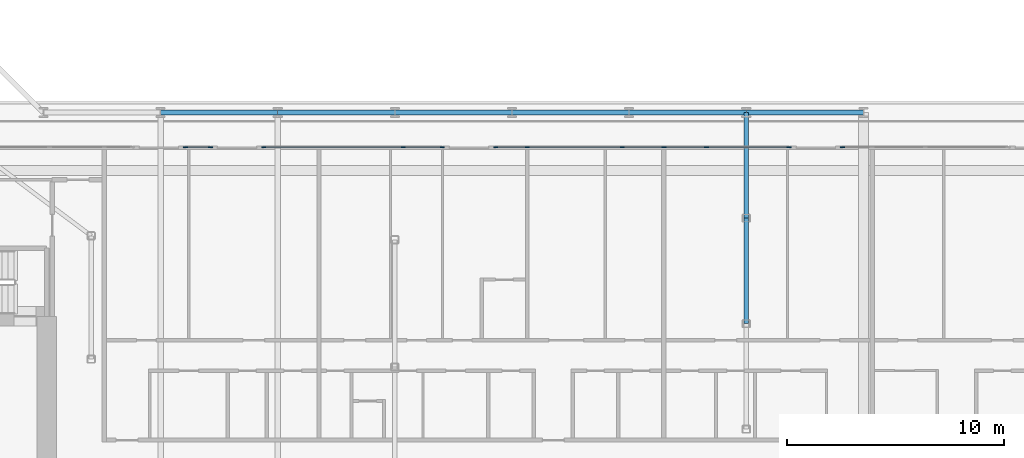
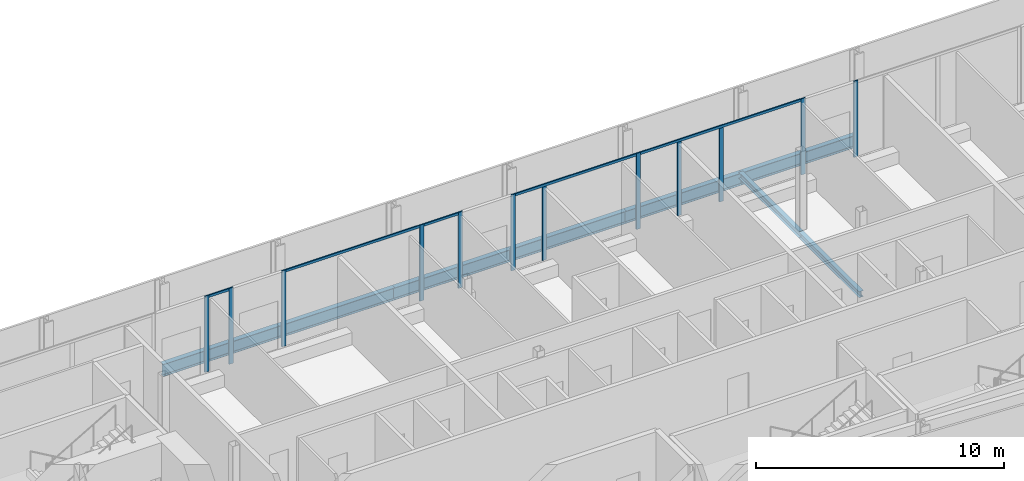
# One storey, part 6 of 28: 17 members, 8 beams, 6 elements without a shape of their own.
"""IFC4 building model written with IfcOpenShell, lengths in metres."""

from ifc_helpers import new_model, si_unit, direction, frame, origin, origin_2d, place, context, subcontext, project, spatial, rectangle, i_section, extrude, material, layer, layer_set, material_profile, profile_set, type_object, element, aggregate, save


model = new_model("IFC4")

# Units and contexts
model_context = context("Model", 3, precision=1e-05, world=origin(), true_north=direction((0.0, 1.0)))
body_context = subcontext(model_context, "Body", "Model", "MODEL_VIEW")
ifc_project = project(units=[si_unit("LENGTHUNIT", "METRE"), si_unit("AREAUNIT", "SQUARE_METRE"), si_unit("VOLUMEUNIT", "CUBIC_METRE"), si_unit("PLANEANGLEUNIT", "RADIAN"), si_unit("MASSUNIT", "GRAM", prefix="KILO")], contexts=[model_context])

# Site, building, storey
site_placement = place(None, origin())
site = spatial("IfcSite", under=ifc_project, at=site_placement, CompositionType="ELEMENT")
building_placement = place(site_placement, origin())
building = spatial("IfcBuilding", under=site, at=building_placement, Name="Kheshtan School and Residences Tower", CompositionType="ELEMENT")
storey_placement = place(building_placement, frame((0.0, 0.0, 125.300048828125)))
storey = spatial("IfcBuildingStorey", under=building, at=storey_placement, Name="L29", CompositionType="ELEMENT", Elevation=125.300048828125)

# Beams
ifc_material_1 = material(Name="Steel ASTM A992 Grade 50", Category="steel")
ifc_material_profile_1 = material_profile(ifc_material_1, i_section(OverallWidth=0.202880859375, OverallDepth=0.302978515625, WebThickness=0.007568359375, FlangeThickness=0.01318359375, FilletRadius=0.009033203125, at=origin_2d()), Name="W310x60")
ifc_profile_set_1 = profile_set([ifc_material_profile_1], Name="Steel ASTM A992 Grade 50")
beam_type_1 = type_object("IfcBeamType", Name="Beam FB1 W310x60 ASTM A992 Grade 50", PredefinedType="BEAM", material=ifc_profile_set_1)
for number, where, z_axis, x_axis, name in (
    (1, (85.39990234375, 45.60009765625, -0.301513671875), (0.0, -1.0, 0.0), (1.0, 0.0, 0.0), "Floor beam C067"),
    (2, (85.39990234375, 40.735107421875, -0.301513671875), (0.0, -1.0, 0.0), (1.0, 0.0, 0.0), "Floor beam IC"),
):
    element("IfcBeam", number, at=place(storey_placement, frame(where, z_axis=z_axis, x_axis=x_axis)), inside=storey, type_object=beam_type_1, Name=name, PredefinedType="BEAM", context=body_context, shape_type="SweptSolid", body=[
        extrude(i_section(OverallWidth=0.202880859375, OverallDepth=0.302978515625, WebThickness=0.007568359375, FlangeThickness=0.01318359375, FilletRadius=0.009033203125, at=origin_2d()), origin(), (0.0, 0.0, 1.0), 4.864990234375),
    ])
ifc_material_profile_2 = material_profile(ifc_material_1, i_section(OverallWidth=0.22802734375, OverallDepth=0.60302734375, WebThickness=0.010498046875, FlangeThickness=0.014892578125, FilletRadius=0.013427734375, at=origin_2d()), Name="W610x101")
ifc_profile_set_2 = profile_set([ifc_material_profile_2], Name="Steel ASTM A992 Grade 50")
beam_type_2 = type_object("IfcBeamType", Name="Beam SP2 W610x101 ASTM A992 Grade 50", PredefinedType="BEAM", material=ifc_profile_set_2)
beam_1_placement = place(storey_placement, frame((58.39990234375, 45.60009765625, -0.45166015625), z_axis=(1.0, 0.0, 0.0), x_axis=(0.0, 1.0, 0.0)))
element("IfcBeam", 3, at=beam_1_placement, inside=storey, type_object=beam_type_2, Name="Spandrel beam C062-C063", PredefinedType="BEAM", context=body_context, shape_type="SweptSolid", body=[
    extrude(i_section(OverallWidth=0.22802734375, OverallDepth=0.60302734375, WebThickness=0.010498046875, FlangeThickness=0.014892578125, FilletRadius=0.013427734375, at=origin_2d()), origin(), (0.0, 0.0, 1.0), 5.400146484375),
])
beam_2_placement = place(storey_placement, frame((63.800048828125, 45.60009765625, -0.45166015625), z_axis=(1.0, 0.0, 0.0), x_axis=(0.0, 1.0, 0.0)))
element("IfcBeam", 4, at=beam_2_placement, inside=storey, type_object=beam_type_2, Name="Spandrel beam C063-C064", PredefinedType="BEAM", context=body_context, shape_type="SweptSolid", body=[
    extrude(i_section(OverallWidth=0.22802734375, OverallDepth=0.60302734375, WebThickness=0.010498046875, FlangeThickness=0.014892578125, FilletRadius=0.013427734375, at=origin_2d()), origin(), (0.0, 0.0, 1.0), 5.39990234375),
])
beam_3_placement = place(storey_placement, frame((69.199951171875, 45.60009765625, -0.45166015625), z_axis=(1.0, 0.0, 0.0), x_axis=(0.0, 1.0, 0.0)))
element("IfcBeam", 5, at=beam_3_placement, inside=storey, type_object=beam_type_2, Name="Spandrel beam C064-C065", PredefinedType="BEAM", context=body_context, shape_type="SweptSolid", body=[
    extrude(i_section(OverallWidth=0.22802734375, OverallDepth=0.60302734375, WebThickness=0.010498046875, FlangeThickness=0.014892578125, FilletRadius=0.013427734375, at=origin_2d()), origin(), (0.0, 0.0, 1.0), 5.400146484375),
])
for number, where, z_axis, x_axis, name in (
    (6, (74.60009765625, 45.60009765625, -0.45166015625), (1.0, 0.0, 0.0), (0.0, 1.0, 0.0), "Spandrel beam C065-C066"),
    (7, (80.0, 45.60009765625, -0.45166015625), (1.0, 0.0, 0.0), (0.0, 1.0, 0.0), "Spandrel beam C066-C067"),
):
    element("IfcBeam", number, at=place(storey_placement, frame(where, z_axis=z_axis, x_axis=x_axis)), inside=storey, type_object=beam_type_2, Name=name, PredefinedType="BEAM", context=body_context, shape_type="SweptSolid", body=[
        extrude(i_section(OverallWidth=0.22802734375, OverallDepth=0.60302734375, WebThickness=0.010498046875, FlangeThickness=0.014892578125, FilletRadius=0.013427734375, at=origin_2d()), origin(), (0.0, 0.0, 1.0), 5.39990234375),
    ])
beam_4_placement = place(storey_placement, frame((85.39990234375, 45.60009765625, -0.45166015625), z_axis=(1.0, 0.0, 0.0), x_axis=(0.0, 1.0, 0.0)))
element("IfcBeam", 8, at=beam_4_placement, inside=storey, type_object=beam_type_2, Name="Spandrel beam C067-C068", PredefinedType="BEAM", context=body_context, shape_type="SweptSolid", body=[
    extrude(i_section(OverallWidth=0.22802734375, OverallDepth=0.60302734375, WebThickness=0.010498046875, FlangeThickness=0.014892578125, FilletRadius=0.013427734375, at=origin_2d()), origin(), (0.0, 0.0, 1.0), 5.400146484375),
])

# Curtain wall, members
ifc_material_2 = material(Name="Clear low-e glass in thermally broken aluminium frame", Category="aluminium")
ifc_layer = layer(ifc_material_2, 0.199951171875)
ifc_layer_set = layer_set([ifc_layer], Name="Curtain wall CW-L")
curtain_wall_type = type_object("IfcCurtainWallType", Name="Curtain wall CW-L", PredefinedType="NOTDEFINED", material=ifc_layer_set)
curtain_wall_1_placement = place(storey_placement, origin())
curtain_wall_1 = element("IfcCurtainWall", 9, at=curtain_wall_1_placement, inside=storey, type_object=curtain_wall_type, Name="Curtain wall CWL12b", PredefinedType="NOTDEFINED")
ifc_material_3 = material(Name="Thermally broken aluminium, dark bronze anodised", Category="aluminium")
ifc_material_profile_3 = material_profile(ifc_material_3, rectangle(XDim=0.06005859375, YDim=0.199951171875, at=origin_2d()), Name="CW-L mullion 60x200")
ifc_profile_set_3 = profile_set([ifc_material_profile_3], Name="Thermally broken aluminium, dark bronze anodised")
member_type_1 = type_object("IfcMemberType", Name="CW-L mullion 60x200", PredefinedType="MULLION", material=ifc_profile_set_3)
member_1_placement = place(storey_placement, frame((59.553955078125, 44.0, 0.0), z_axis=(0.0, 0.0, 1.0), x_axis=(0.0, 1.0, 0.0)))
member_1 = element("IfcMember", 10, at=member_1_placement, type_object=member_type_1, Name="CWL12b mullion 1", PredefinedType="MULLION", context=body_context, shape_type="SweptSolid", body=[
    extrude(rectangle(XDim=0.06005859375, YDim=0.199951171875, at=origin_2d()), origin(), (0.0, 0.0, 1.0), 3.75),
])
member_2_placement = place(storey_placement, frame((60.694091796875, 44.0, 0.0), z_axis=(0.0, 0.0, 1.0), x_axis=(0.0, 1.0, 0.0)))
member_2 = element("IfcMember", 11, at=member_2_placement, type_object=member_type_1, Name="CWL12b mullion 2", PredefinedType="MULLION", context=body_context, shape_type="SweptSolid", body=[
    extrude(rectangle(XDim=0.06005859375, YDim=0.199951171875, at=origin_2d()), origin(), (0.0, 0.0, 1.0), 3.75),
])

curtain_wall_2_placement = place(storey_placement, origin())
curtain_wall_2 = element("IfcCurtainWall", 12, at=curtain_wall_2_placement, inside=storey, type_object=curtain_wall_type, Name="Curtain wall CWL12s", PredefinedType="NOTDEFINED")
member_3_placement = place(storey_placement, frame((63.154052734375, 44.0, 0.0), z_axis=(0.0, 0.0, 1.0), x_axis=(0.0, 1.0, 0.0)))
member_3 = element("IfcMember", 13, at=member_3_placement, type_object=member_type_1, Name="CWL12s mullion 1", PredefinedType="MULLION", context=body_context, shape_type="SweptSolid", body=[
    extrude(rectangle(XDim=0.06005859375, YDim=0.199951171875, at=origin_2d()), origin(), (0.0, 0.0, 1.0), 3.75),
])
member_4_placement = place(storey_placement, frame((69.587890625, 44.0, 0.0), z_axis=(0.0, 0.0, 1.0), x_axis=(0.0, 1.0, 0.0)))
member_4 = element("IfcMember", 14, at=member_4_placement, type_object=member_type_1, Name="CWL12s mullion 2", PredefinedType="MULLION", context=body_context, shape_type="SweptSolid", body=[
    extrude(rectangle(XDim=0.06005859375, YDim=0.199951171875, at=origin_2d()), origin(), (0.0, 0.0, 1.0), 3.75),
])

# Curtain wall, member
curtain_wall_3_placement = place(storey_placement, origin())
curtain_wall_3 = element("IfcCurtainWall", 15, at=curtain_wall_3_placement, inside=storey, type_object=curtain_wall_type, Name="Curtain wall CWL12q", PredefinedType="NOTDEFINED")
member_5_placement = place(storey_placement, frame((71.387939453125, 44.0, 0.0), z_axis=(0.0, 0.0, 1.0), x_axis=(0.0, 1.0, 0.0)))
member_5 = element("IfcMember", 16, at=member_5_placement, type_object=member_type_1, Name="CWL12q mullion 2", PredefinedType="MULLION", context=body_context, shape_type="SweptSolid", body=[
    extrude(rectangle(XDim=0.06005859375, YDim=0.199951171875, at=origin_2d()), origin(), (0.0, 0.0, 1.0), 3.75),
])

# Curtain wall, members
curtain_wall_4_placement = place(storey_placement, origin())
curtain_wall_4 = element("IfcCurtainWall", 17, at=curtain_wall_4_placement, inside=storey, type_object=curtain_wall_type, Name="Curtain wall CWL12t", PredefinedType="NOTDEFINED")
member_6_placement = place(storey_placement, frame((73.847900390625, 44.0, 0.0), z_axis=(0.0, 0.0, 1.0), x_axis=(0.0, 1.0, 0.0)))
member_6 = element("IfcMember", 18, at=member_6_placement, type_object=member_type_1, Name="CWL12t mullion 1", PredefinedType="MULLION", context=body_context, shape_type="SweptSolid", body=[
    extrude(rectangle(XDim=0.06005859375, YDim=0.199951171875, at=origin_2d()), origin(), (0.0, 0.0, 1.0), 3.75),
])
member_7_placement = place(storey_placement, frame((75.300048828125, 44.0, 0.0), z_axis=(0.0, 0.0, 1.0), x_axis=(0.0, 1.0, 0.0)))
member_7 = element("IfcMember", 19, at=member_7_placement, type_object=member_type_1, Name="CWL12t mullion 2", PredefinedType="MULLION", context=body_context, shape_type="SweptSolid", body=[
    extrude(rectangle(XDim=0.06005859375, YDim=0.199951171875, at=origin_2d()), origin(), (0.0, 0.0, 1.0), 3.6298828125),
])
member_8_placement = place(storey_placement, frame((79.681884765625, 44.0, 0.0), z_axis=(0.0, 0.0, 1.0), x_axis=(0.0, 1.0, 0.0)))
member_8 = element("IfcMember", 20, at=member_8_placement, type_object=member_type_1, Name="CWL12t mullion 3", PredefinedType="MULLION", context=body_context, shape_type="SweptSolid", body=[
    extrude(rectangle(XDim=0.06005859375, YDim=0.199951171875, at=origin_2d()), origin(), (0.0, 0.0, 1.0), 3.75),
])

curtain_wall_5_placement = place(storey_placement, origin())
curtain_wall_5 = element("IfcCurtainWall", 21, at=curtain_wall_5_placement, inside=storey, type_object=curtain_wall_type, Name="Curtain wall CWL12k", PredefinedType="NOTDEFINED")
member_9_placement = place(storey_placement, frame((81.60009765625, 44.0, 0.0), z_axis=(0.0, 0.0, 1.0), x_axis=(0.0, 1.0, 0.0)))
member_9 = element("IfcMember", 22, at=member_9_placement, type_object=member_type_1, Name="CWL12k mullion 2", PredefinedType="MULLION", context=body_context, shape_type="SweptSolid", body=[
    extrude(rectangle(XDim=0.06005859375, YDim=0.199951171875, at=origin_2d()), origin(), (0.0, 0.0, 1.0), 3.6298828125),
])
member_10_placement = place(storey_placement, frame((83.55908203125, 44.0, 0.0), z_axis=(0.0, 0.0, 1.0), x_axis=(0.0, 1.0, 0.0)))
member_10 = element("IfcMember", 23, at=member_10_placement, type_object=member_type_1, Name="CWL12k mullion 3", PredefinedType="MULLION", context=body_context, shape_type="SweptSolid", body=[
    extrude(rectangle(XDim=0.06005859375, YDim=0.199951171875, at=origin_2d()), origin(), (0.0, 0.0, 1.0), 3.6298828125),
])
member_11_placement = place(storey_placement, frame((87.3759765625, 44.0, 0.0), z_axis=(0.0, 0.0, 1.0), x_axis=(0.0, 1.0, 0.0)))
member_11 = element("IfcMember", 24, at=member_11_placement, type_object=member_type_1, Name="CWL12k mullion 4", PredefinedType="MULLION", context=body_context, shape_type="SweptSolid", body=[
    extrude(rectangle(XDim=0.06005859375, YDim=0.199951171875, at=origin_2d()), origin(), (0.0, 0.0, 1.0), 3.75),
])

# Curtain wall, member
curtain_wall_6_placement = place(storey_placement, origin())
curtain_wall_6 = element("IfcCurtainWall", 25, at=curtain_wall_6_placement, inside=storey, type_object=curtain_wall_type, Name="Curtain wall CWL12k", PredefinedType="NOTDEFINED")
member_12_placement = place(storey_placement, frame((89.8359375, 44.0, 0.0), z_axis=(0.0, 0.0, 1.0), x_axis=(0.0, 1.0, 0.0)))
member_12 = element("IfcMember", 26, at=member_12_placement, type_object=member_type_1, Name="CWL12k mullion 1", PredefinedType="MULLION", context=body_context, shape_type="SweptSolid", body=[
    extrude(rectangle(XDim=0.06005859375, YDim=0.199951171875, at=origin_2d()), origin(), (0.0, 0.0, 1.0), 3.75),
])
aggregate(curtain_wall_6, [member_12])

# Member
ifc_material_profile_4 = material_profile(ifc_material_3, rectangle(XDim=0.06005859375, YDim=0.1201171875, at=origin_2d()), Name="CW-L transom 60x120")
ifc_profile_set_4 = profile_set([ifc_material_profile_4], Name="Thermally broken aluminium, dark bronze anodised")
member_type_2 = type_object("IfcMemberType", Name="CW-L transom 60x120", PredefinedType="USERDEFINED", material=ifc_profile_set_4)
member_13_placement = place(storey_placement, frame((59.583984375, 44.0, 3.68994140625), z_axis=(1.0, 0.0, 0.0), x_axis=(0.0, 1.0, 0.0)))
member_13 = element("IfcMember", 27, at=member_13_placement, type_object=member_type_2, Name="CWL12b transom 1", ObjectType="TRANSOM", PredefinedType="USERDEFINED", context=body_context, shape_type="SweptSolid", body=[
    extrude(rectangle(XDim=0.06005859375, YDim=0.1201171875, at=origin_2d()), origin(), (0.0, 0.0, 1.0), 1.080078125),
])

aggregate(curtain_wall_1, [member_1, member_2, member_13])

member_14_placement = place(storey_placement, frame((63.18408203125, 44.0, 3.68994140625), z_axis=(1.0, 0.0, 0.0), x_axis=(0.0, 1.0, 0.0)))
member_14 = element("IfcMember", 28, at=member_14_placement, type_object=member_type_2, Name="CWL12s transom 1", ObjectType="TRANSOM", PredefinedType="USERDEFINED", context=body_context, shape_type="SweptSolid", body=[
    extrude(rectangle(XDim=0.06005859375, YDim=0.1201171875, at=origin_2d()), origin(), (0.0, 0.0, 1.0), 6.3740234375),
])

aggregate(curtain_wall_2, [member_3, member_4, member_14])

member_15_placement = place(storey_placement, frame((69.617919921875, 44.0, 3.68994140625), z_axis=(1.0, 0.0, 0.0), x_axis=(0.0, 1.0, 0.0)))
member_15 = element("IfcMember", 29, at=member_15_placement, type_object=member_type_2, Name="CWL12q transom 1", ObjectType="TRANSOM", PredefinedType="USERDEFINED", context=body_context, shape_type="SweptSolid", body=[
    extrude(rectangle(XDim=0.06005859375, YDim=0.1201171875, at=origin_2d()), origin(), (0.0, 0.0, 1.0), 1.739990234375),
])

aggregate(curtain_wall_3, [member_5, member_15])

member_16_placement = place(storey_placement, frame((73.8779296875, 44.0, 3.68994140625), z_axis=(1.0, 0.0, 0.0), x_axis=(0.0, 1.0, 0.0)))
member_16 = element("IfcMember", 30, at=member_16_placement, type_object=member_type_2, Name="CWL12t transom 1", ObjectType="TRANSOM", PredefinedType="USERDEFINED", context=body_context, shape_type="SweptSolid", body=[
    extrude(rectangle(XDim=0.06005859375, YDim=0.1201171875, at=origin_2d()), origin(), (0.0, 0.0, 1.0), 5.774169921875),
])

aggregate(curtain_wall_4, [member_6, member_7, member_8, member_16])

member_17_placement = place(storey_placement, frame((79.7119140625, 44.0, 3.68994140625), z_axis=(1.0, 0.0, 0.0), x_axis=(0.0, 1.0, 0.0)))
member_17 = element("IfcMember", 31, at=member_17_placement, type_object=member_type_2, Name="CWL12k transom 1", ObjectType="TRANSOM", PredefinedType="USERDEFINED", context=body_context, shape_type="SweptSolid", body=[
    extrude(rectangle(XDim=0.06005859375, YDim=0.1201171875, at=origin_2d()), origin(), (0.0, 0.0, 1.0), 7.634033203125),
])

aggregate(curtain_wall_5, [member_9, member_10, member_11, member_17])

save(model, "model.ifc")
